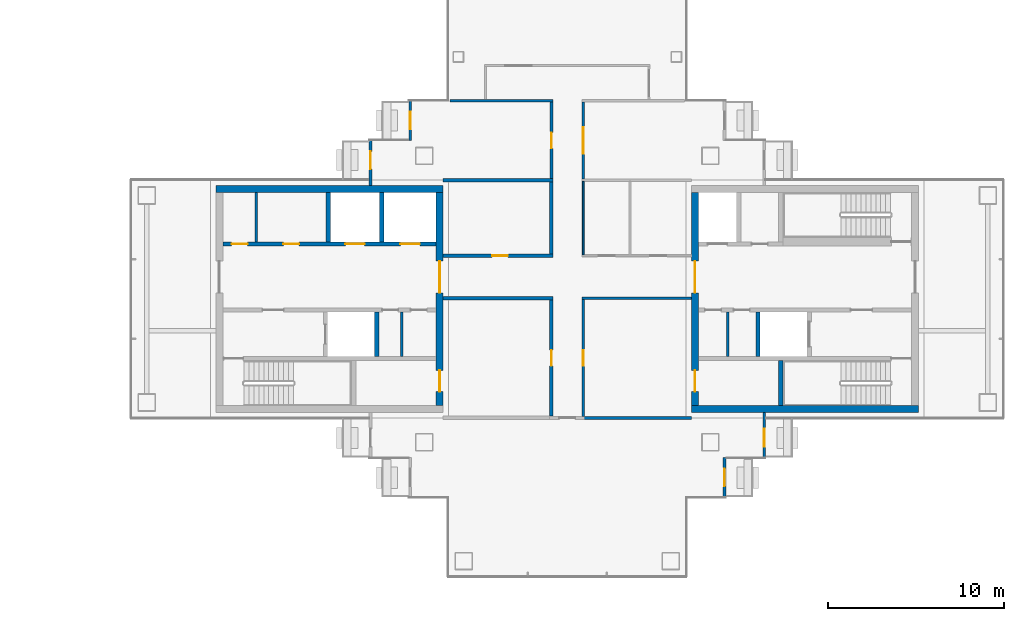
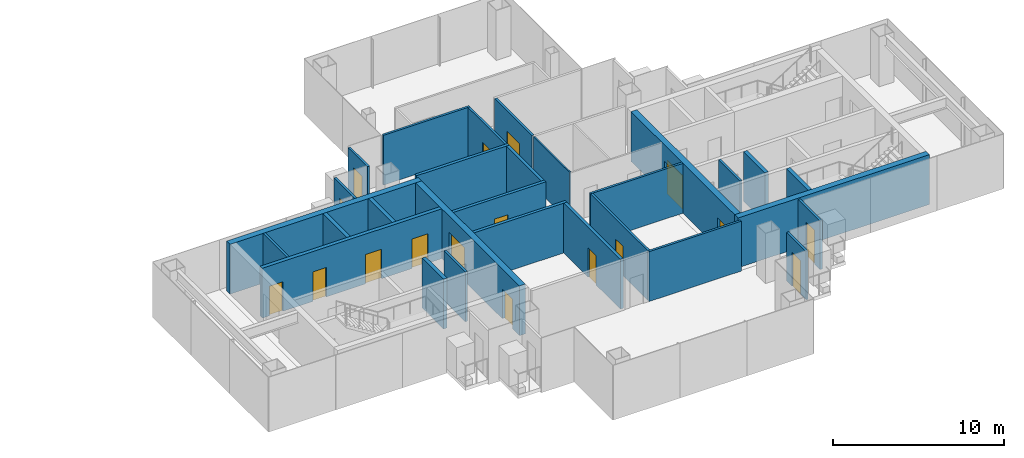
# One storey, part 11 of 17: 29 walls, 17 doors, 17 openings.
"""IFC4 building model written with IfcOpenShell, lengths in metres."""

import ifcopenshell
import ifcopenshell.guid

model = None  # the IFC model being written
_history = None  # IfcOwnerHistory: only IFC2X3 demands one
_inside = {}  # id of a spatial element -> (the spatial element, [elements in it])
_under = {}  # id of a project, library or spatial element -> (it, [spatial elements below it])
_declared = {}  # id of a project -> (the project, [libraries it declares])
_typed = {}  # id of a type object -> (the type object, [elements of that type])
_made_of = {}  # id of a material, layer set ... -> (it, [elements and type objects made of it])


def new_model(schema):
    """Start an empty IFC model of exactly this schema.

    Asked for "IFC4X3", IfcOpenShell would pick the latest addendum, in which some entities
    have other attributes; the version numbers below select the first issue.
    IFC2X3 requires an IfcOwnerHistory on every rooted entity: one is made here for all.
    """
    global model, _history
    if schema == "IFC4X3":
        model = ifcopenshell.file(schema_version=(4, 3, 0, 0))
    else:
        model = ifcopenshell.file(schema=schema)
    _inside.clear()
    _under.clear()
    _declared.clear()
    _typed.clear()
    _made_of.clear()
    _history = None
    if model.schema == "IFC2X3":
        org = make("IfcOrganization", Name="unknown")
        user = make(
            "IfcPersonAndOrganization",
            ThePerson=make("IfcPerson", FamilyName="unknown"),
            TheOrganization=org,
        )
        app = make(
            "IfcApplication",
            ApplicationDeveloper=org,
            Version="unknown",
            ApplicationFullName="unknown",
            ApplicationIdentifier="unknown",
        )
        _history = make(
            "IfcOwnerHistory",
            OwningUser=user,
            OwningApplication=app,
            ChangeAction="ADDED",
            CreationDate=0,
        )
    return model


def make(cls, **values):
    """One entity of the class cls with the attributes given. An attribute that is None is left unset."""
    return model.create_entity(
        cls, **{name: value for name, value in values.items() if value is not None}
    )


def rooted(cls, **values):
    """An entity with a GlobalId (a new one), such as an element, a storey or a relation."""
    return make(cls, GlobalId=ifcopenshell.guid.new(), OwnerHistory=_history, **values)


def si_unit(unit_type, name, prefix=None):
    """IfcSIUnit, for example si_unit("LENGTHUNIT", "METRE", prefix="MILLI")."""
    return make("IfcSIUnit", UnitType=unit_type, Prefix=prefix, Name=name)


def assignment(units):
    """IfcUnitAssignment: the units of a project."""
    return None if units is None else make("IfcUnitAssignment", Units=units)


def point(xyz):
    """IfcCartesianPoint."""
    return None if xyz is None else make("IfcCartesianPoint", Coordinates=xyz)


def direction(xyz):
    """IfcDirection."""
    return None if xyz is None else make("IfcDirection", DirectionRatios=xyz)


def frame(location, z_axis=None, x_axis=None):
    """IfcAxis2Placement3D, a coordinate frame: its origin and axes. An axis left out is left unset."""
    return make(
        "IfcAxis2Placement3D",
        Location=point(location),
        Axis=direction(z_axis),
        RefDirection=direction(x_axis),
    )


def frame_2d(location, x_axis=None):
    """IfcAxis2Placement2D, a coordinate frame in the plane: its origin and x axis."""
    return make(
        "IfcAxis2Placement2D", Location=point(location), RefDirection=direction(x_axis)
    )


def origin():
    """The frame at (0, 0, 0) with its axes left unset."""
    return frame((0.0, 0.0, 0.0))


def place(relative_to, where):
    """IfcLocalPlacement: puts the frame where relative to a parent placement (None: the world)."""
    return make(
        "IfcLocalPlacement", PlacementRelTo=relative_to, RelativePlacement=where
    )


def context(
    kind, dimensions, precision=None, world=None, true_north=None, identifier=None
):
    """IfcGeometricRepresentationContext, for example the 3D "Model" context."""
    return make(
        "IfcGeometricRepresentationContext",
        ContextIdentifier=identifier,
        ContextType=kind,
        CoordinateSpaceDimension=dimensions,
        Precision=precision,
        WorldCoordinateSystem=world,
        TrueNorth=true_north,
    )


def subcontext(parent, identifier, kind, view, scale=None):
    """IfcGeometricRepresentationSubContext, for example "Body" below "Model"."""
    return make(
        "IfcGeometricRepresentationSubContext",
        ContextIdentifier=identifier,
        ContextType=kind,
        ParentContext=parent,
        TargetScale=scale,
        TargetView=view,
    )


def project(units=None, contexts=None):
    """IfcProject with its units and contexts."""
    return rooted(
        "IfcProject",
        Name="project",
        RepresentationContexts=contexts,
        UnitsInContext=assignment(units),
    )


def spatial(cls, under=None, at=None, **own):
    """A site, building, storey or space (cls), placed at a placement, below another one or the project."""
    s = rooted(cls, ObjectPlacement=at, **own)
    if under is not None:
        _under.setdefault(under.id(), (under, []))[1].append(s)
    return s


def profile(cls, at=None, kind="AREA", **sizes):
    """A parametric profile (cls). Its sizes go by their IFC names, for example OverallWidth=200.0."""
    return make(cls, ProfileType=kind, Position=at, **sizes)


def rectangle(**sizes):
    """IfcRectangleProfileDef."""
    return profile("IfcRectangleProfileDef", **sizes)


def extrude(swept, where, along, depth):
    """IfcExtrudedAreaSolid: the profile swept, set in the frame where, extruded along a direction by depth."""
    return make(
        "IfcExtrudedAreaSolid",
        SweptArea=swept,
        Position=where,
        ExtrudedDirection=direction(along),
        Depth=depth,
    )


def shape(context_of_items, identifier, shape_type, items):
    """IfcShapeRepresentation: the items that make up one representation, for example the "Body"."""
    return make(
        "IfcShapeRepresentation",
        ContextOfItems=context_of_items,
        RepresentationIdentifier=identifier,
        RepresentationType=shape_type,
        Items=items,
    )


def material(Name=None, Category=None):
    """IfcMaterial."""
    return make("IfcMaterial", Name=Name, Category=Category)


def layer(
    of_material, thickness, ventilated=None, Name=None, Category=None, Priority=None
):
    """IfcMaterialLayer: one layer of a wall or slab, of a material (None: an air gap)."""
    return make(
        "IfcMaterialLayer",
        Material=of_material,
        LayerThickness=thickness,
        IsVentilated=ventilated,
        Name=Name,
        Category=Category,
        Priority=Priority,
    )


def layer_set(layers, Name=None):
    """IfcMaterialLayerSet."""
    return make("IfcMaterialLayerSet", MaterialLayers=layers, LayerSetName=Name)


def made_of(thing, what):
    """Note that an element or type object is made of a material, layer set ...; save() writes the relation."""
    if what is not None:
        _made_of.setdefault(what.id(), (what, []))[1].append(thing)
    return thing


def type_object(cls, material=None, **own):
    """A type object (cls), such as IfcWallType, which elements share."""
    return made_of(rooted(cls, **own), material)


def element(
    cls,
    number,
    at=None,
    inside=None,
    cuts=None,
    type_object=None,
    material=None,
    context=None,
    identifier="Body",
    shape_type=None,
    held_by="IfcProductDefinitionShape",
    body=None,
    shapes=None,
    **own,
):
    """One element of the class cls, such as IfcWall. Its Tag is "e" and its number.

    at: its placement. inside: the storey or other place that contains it. cuts: it is an
    opening in that element (IfcRelVoidsElement). A single representation is given by context,
    identifier, shape_type and body (its items); several are given by shapes. held_by: the class
    of the entity that holds the representations. save() writes the other relations.
    """
    e = rooted(cls, Tag="e%d" % number, ObjectPlacement=at, **own)
    if body is not None:
        shapes = [shape(context, identifier, shape_type, body)]
    if shapes is not None:
        e.Representation = make(held_by, Representations=shapes)
    if inside is not None:
        _inside.setdefault(inside.id(), (inside, []))[1].append(e)
    if cuts is not None:
        rooted(
            "IfcRelVoidsElement", RelatingBuildingElement=cuts, RelatedOpeningElement=e
        )
    if type_object is not None:
        _typed.setdefault(type_object.id(), (type_object, []))[1].append(e)
    return made_of(e, material)


def fill(opening, filler):
    """IfcRelFillsElement: the door or window that sits in an opening."""
    return rooted(
        "IfcRelFillsElement",
        RelatingOpeningElement=opening,
        RelatedBuildingElement=filler,
    )


def aggregate(whole, parts):
    """IfcRelAggregates: a whole, such as a stair, and the parts it consists of."""
    return rooted("IfcRelAggregates", RelatingObject=whole, RelatedObjects=parts)


def save(model, path):
    """Write the relations noted so far, then the file.

    IfcRelAggregates (storeys below a building ...), IfcRelContainedInSpatialStructure (elements
    in a storey), IfcRelDefinesByType, IfcRelAssociatesMaterial and IfcRelDeclares: one each for
    every whole, place, type object, material and project.
    """
    for whole, parts in _under.values():
        aggregate(whole, parts)
    for where, things in _inside.values():
        rooted(
            "IfcRelContainedInSpatialStructure",
            RelatedElements=things,
            RelatingStructure=where,
        )
    for kind, things in _typed.values():
        rooted("IfcRelDefinesByType", RelatedObjects=things, RelatingType=kind)
    for what, things in _made_of.values():
        rooted("IfcRelAssociatesMaterial", RelatedObjects=things, RelatingMaterial=what)
    for by, libraries in _declared.values():
        rooted("IfcRelDeclares", RelatingContext=by, RelatedDefinitions=libraries)
    model.write(path)


model = new_model("IFC4")

# Units and contexts
model_context = context("Model", 3, precision=1e-05, world=origin(), true_north=direction((0.0, 1.0)))
body_context = subcontext(model_context, "Body", "Model", "MODEL_VIEW")
ifc_project = project(units=[si_unit("LENGTHUNIT", "METRE"), si_unit("AREAUNIT", "SQUARE_METRE"), si_unit("VOLUMEUNIT", "CUBIC_METRE"), si_unit("PLANEANGLEUNIT", "RADIAN"), si_unit("MASSUNIT", "GRAM", prefix="KILO")], contexts=[model_context])

# Site, building, storey
site_placement = place(None, origin())
site = spatial("IfcSite", under=ifc_project, at=site_placement, CompositionType="ELEMENT")
building_placement = place(site_placement, origin())
building = spatial("IfcBuilding", under=site, at=building_placement, Name="Shamsa Quay Exchange Towers", CompositionType="ELEMENT")
storey_placement = place(building_placement, frame((0.0, 0.0, 198.300048828125)))
storey = spatial("IfcBuildingStorey", under=building, at=storey_placement, Name="L47", CompositionType="ELEMENT", Elevation=198.300048828125)

# Wall, opening, door
ifc_material_1 = material(Name="Aluminium EN AW-6063 T6, black anodised, with black enamelled glass infill", Category="aluminium")
ifc_layer_1 = layer(ifc_material_1, 0.14990234375)
ifc_layer_set_1 = layer_set([ifc_layer_1], Name="BALCONY DOOR BAY WALL 150")
wall_type_1 = type_object("IfcWallType", Name="BALCONY DOOR BAY WALL 150", PredefinedType="SOLIDWALL", material=ifc_layer_set_1)
wall_1_placement = place(storey_placement, frame((24.824951171875, 9.0, 0.0), z_axis=(0.0, 0.0, 1.0), x_axis=(0.0, 1.0, 0.0)))
wall_1 = element("IfcWall", 1, at=wall_1_placement, inside=storey, type_object=wall_type_1, Name="Door bay T2-PKEN L47", PredefinedType="SOLIDWALL", context=body_context, shape_type="SweptSolid", body=[
    extrude(rectangle(XDim=2.25, YDim=0.14990234375, at=frame_2d((1.125, 0.0))), origin(), (0.0, 0.0, 1.0), 3.449951171875),
])
opening_1_placement = place(wall_1_placement, frame((0.625, 0.0, 0.0)))
opening_1 = element("IfcOpeningElement", 2, at=opening_1_placement, cuts=wall_1, Name="Opening XD305", PredefinedType="OPENING", context=body_context, shape_type="SweptSolid", body=[
    extrude(rectangle(XDim=1.0, YDim=2.39990234375, at=frame_2d((0.5, 1.199951171875))), frame((0.0, 0.0849609375, 0.0), z_axis=(0.0, -1.0, 0.0), x_axis=(1.0, 0.0, 0.0)), (0.0, 0.0, 1.0), 0.169921875),
])
ifc_material_2 = material(Name="Aluminium EN AW-6063 T6, black anodised, with laminated glass leaf", Category="aluminium")
door_type_1 = type_object("IfcDoorType", Name="BALCONY DOOR 1000x2400", OperationType="SINGLE_SWING_LEFT", PredefinedType="DOOR", material=ifc_material_2)
door_1_placement = place(opening_1_placement, origin())
door_1 = element("IfcDoor", 3, at=door_1_placement, inside=storey, type_object=door_type_1, Name="Balcony door T2-PKEN L47", OperationType="SINGLE_SWING_RIGHT", OverallHeight=2.39990234375, OverallWidth=1.0, PredefinedType="DOOR", context=body_context, shape_type="SweptSolid", body=[
    extrude(rectangle(XDim=1.0, YDim=2.39990234375, at=frame_2d((0.5, 1.199951171875))), frame((0.0, 0.02490234375, 0.0), z_axis=(0.0, -1.0, 0.0), x_axis=(1.0, 0.0, 0.0)), (0.0, 0.0, 1.0), 0.050048828125),
])
fill(opening_1, door_1)

wall_2_placement = place(storey_placement, frame((22.574951171875, 6.447998046875, 0.0), z_axis=(0.0, 0.0, 1.0), x_axis=(0.0, 1.0, 0.0)))
wall_2 = element("IfcWall", 4, at=wall_2_placement, inside=storey, type_object=wall_type_1, Name="Door bay T2-PKEN L47", PredefinedType="SOLIDWALL", context=body_context, shape_type="SweptSolid", body=[
    extrude(rectangle(XDim=2.552001953125, YDim=0.14990234375, at=frame_2d((1.27587890625, 0.0))), origin(), (0.0, 0.0, 1.0), 3.449951171875),
])
opening_2_placement = place(wall_2_placement, frame((0.927001953125, 0.0, 0.0)))
opening_2 = element("IfcOpeningElement", 5, at=opening_2_placement, cuts=wall_2, Name="Opening XD306", PredefinedType="OPENING", context=body_context, shape_type="SweptSolid", body=[
    extrude(rectangle(XDim=1.0, YDim=2.39990234375, at=frame_2d((0.5, 1.199951171875))), frame((0.0, 0.0849609375, 0.0), z_axis=(0.0, -1.0, 0.0), x_axis=(1.0, 0.0, 0.0)), (0.0, 0.0, 1.0), 0.169921875),
])
door_2_placement = place(opening_2_placement, origin())
door_2 = element("IfcDoor", 6, at=door_2_placement, inside=storey, type_object=door_type_1, Name="Balcony door T2-PKEN L47", OperationType="SINGLE_SWING_LEFT", OverallHeight=2.39990234375, OverallWidth=1.0, PredefinedType="DOOR", context=body_context, shape_type="SweptSolid", body=[
    extrude(rectangle(XDim=1.0, YDim=2.39990234375, at=frame_2d((0.5, 1.199951171875))), frame((0.0, 0.02490234375, 0.0), z_axis=(0.0, -1.0, 0.0), x_axis=(1.0, 0.0, 0.0)), (0.0, 0.0, 1.0), 0.050048828125),
])
fill(opening_2, door_2)

wall_3_placement = place(storey_placement, frame((42.675048828125, -9.0, 0.0), z_axis=(0.0, 0.0, 1.0), x_axis=(0.0, -1.0, 0.0)))
wall_3 = element("IfcWall", 7, at=wall_3_placement, inside=storey, type_object=wall_type_1, Name="Door bay T2-PKWS L47", PredefinedType="SOLIDWALL", context=body_context, shape_type="SweptSolid", body=[
    extrude(rectangle(XDim=2.25, YDim=0.14990234375, at=frame_2d((1.125, 0.0))), origin(), (0.0, 0.0, 1.0), 3.449951171875),
])
opening_3_placement = place(wall_3_placement, frame((0.625, 0.0, 0.0)))
opening_3 = element("IfcOpeningElement", 8, at=opening_3_placement, cuts=wall_3, Name="Opening XD311", PredefinedType="OPENING", context=body_context, shape_type="SweptSolid", body=[
    extrude(rectangle(XDim=1.0, YDim=2.39990234375, at=frame_2d((0.5, 1.199951171875))), frame((0.0, 0.0849609375, 0.0), z_axis=(0.0, -1.0, 0.0), x_axis=(1.0, 0.0, 0.0)), (0.0, 0.0, 1.0), 0.169921875),
])
door_3_placement = place(opening_3_placement, origin())
door_3 = element("IfcDoor", 9, at=door_3_placement, inside=storey, type_object=door_type_1, Name="Balcony door T2-PKWS L47", OperationType="SINGLE_SWING_LEFT", OverallHeight=2.39990234375, OverallWidth=1.0, PredefinedType="DOOR", context=body_context, shape_type="SweptSolid", body=[
    extrude(rectangle(XDim=1.0, YDim=2.39990234375, at=frame_2d((0.5, 1.199951171875))), frame((0.0, 0.02490234375, 0.0), z_axis=(0.0, -1.0, 0.0), x_axis=(1.0, 0.0, 0.0)), (0.0, 0.0, 1.0), 0.050048828125),
])
fill(opening_3, door_3)

wall_4_placement = place(storey_placement, frame((44.925048828125, -6.447998046875, 0.0), z_axis=(0.0, 0.0, 1.0), x_axis=(0.0, -1.0, 0.0)))
wall_4 = element("IfcWall", 10, at=wall_4_placement, inside=storey, type_object=wall_type_1, Name="Door bay T2-PKWS L47", PredefinedType="SOLIDWALL", context=body_context, shape_type="SweptSolid", body=[
    extrude(rectangle(XDim=2.552001953125, YDim=0.14990234375, at=frame_2d((1.27587890625, 0.0))), origin(), (0.0, 0.0, 1.0), 3.449951171875),
])
opening_4_placement = place(wall_4_placement, frame((0.927001953125, 0.0, 0.0)))
opening_4 = element("IfcOpeningElement", 11, at=opening_4_placement, cuts=wall_4, Name="Opening XD312", PredefinedType="OPENING", context=body_context, shape_type="SweptSolid", body=[
    extrude(rectangle(XDim=1.0, YDim=2.39990234375, at=frame_2d((0.5, 1.199951171875))), frame((0.0, 0.0849609375, 0.0), z_axis=(0.0, -1.0, 0.0), x_axis=(1.0, 0.0, 0.0)), (0.0, 0.0, 1.0), 0.169921875),
])
door_4_placement = place(opening_4_placement, origin())
door_4 = element("IfcDoor", 12, at=door_4_placement, inside=storey, type_object=door_type_1, Name="Balcony door T2-PKWS L47", OperationType="SINGLE_SWING_RIGHT", OverallHeight=2.39990234375, OverallWidth=1.0, PredefinedType="DOOR", context=body_context, shape_type="SweptSolid", body=[
    extrude(rectangle(XDim=1.0, YDim=2.39990234375, at=frame_2d((0.5, 1.199951171875))), frame((0.0, 0.02490234375, 0.0), z_axis=(0.0, -1.0, 0.0), x_axis=(1.0, 0.0, 0.0)), (0.0, 0.0, 1.0), 0.050048828125),
])
fill(opening_4, door_4)

# Wall
ifc_material_3 = material(Name="Concrete C60/75", Category="concrete")
ifc_layer_2 = layer(ifc_material_3, 0.39990234375)
ifc_layer_set_2 = layer_set([ifc_layer_2], Name="CORE WALL 400 C60/75")
wall_type_2 = type_object("IfcWallType", Name="CORE WALL 400 C60/75", PredefinedType="SHEAR", material=ifc_layer_set_2)
wall_5_placement = place(storey_placement, frame((13.800048828125, 6.25, 0.0)))
element("IfcWall", 13, at=wall_5_placement, inside=storey, type_object=wall_type_2, Name="Core wall T2A-R21-PN", PredefinedType="SHEAR", context=body_context, shape_type="SweptSolid", body=[
    extrude(rectangle(XDim=12.89990234375, YDim=0.39990234375, at=frame_2d((6.449951171875, 0.0))), origin(), (0.0, 0.0, 1.0), 3.550048828125),
])

# Wall, openings, doors
wall_6_placement = place(storey_placement, frame((26.5, 6.050048828125, 0.0), z_axis=(0.0, 0.0, 1.0), x_axis=(0.0, -1.0, 0.0)))
wall_6 = element("IfcWall", 14, at=wall_6_placement, inside=storey, type_object=wall_type_2, Name="Core wall T2A-R21-PB", PredefinedType="SHEAR", context=body_context, shape_type="SweptSolid", body=[
    extrude(rectangle(XDim=12.10009765625, YDim=0.39990234375, at=frame_2d((6.050048828125, 0.0))), origin(), (0.0, 0.0, 1.0), 3.550048828125),
])
opening_5_placement = place(wall_6_placement, frame((10.10009765625, 0.0, 0.0)))
opening_5 = element("IfcOpeningElement", 15, at=opening_5_placement, cuts=wall_6, Name="Opening T2A-R21-RD02", PredefinedType="OPENING", context=body_context, shape_type="SweptSolid", body=[
    extrude(rectangle(XDim=1.199951171875, YDim=2.10009765625, at=frame_2d((0.60009765625, 1.050048828125))), frame((0.0, 0.2099609375, 0.0), z_axis=(0.0, -1.0, 0.0), x_axis=(1.0, 0.0, 0.0)), (0.0, 0.0, 1.0), 0.419921875),
])
opening_6_placement = place(wall_6_placement, frame((3.89990234375, 0.0, 0.0)))
opening_6 = element("IfcOpeningElement", 16, at=opening_6_placement, cuts=wall_6, Name="Opening T2A-R21-LBD03", PredefinedType="OPENING", context=body_context, shape_type="SweptSolid", body=[
    extrude(rectangle(XDim=1.800048828125, YDim=2.39990234375, at=frame_2d((0.89990234375, 1.199951171875))), frame((0.0, 0.2099609375, 0.0), z_axis=(0.0, -1.0, 0.0), x_axis=(1.0, 0.0, 0.0)), (0.0, 0.0, 1.0), 0.419921875),
])
ifc_material_4 = material(Name="Steel, fire rated", Category="steel")
door_type_2 = type_object("IfcDoorType", Name="LIFT LOBBY DOOR PAIR 1800", OperationType="DOUBLE_DOOR_SINGLE_SWING", PredefinedType="DOOR", material=ifc_material_4)
door_5_placement = place(opening_6_placement, origin())
door_5 = element("IfcDoor", 17, at=door_5_placement, inside=storey, type_object=door_type_2, Name="T2A-R21-LBD03", OperationType="DOUBLE_DOOR_SINGLE_SWING", OverallHeight=2.39990234375, OverallWidth=1.800048828125, PredefinedType="DOOR", context=body_context, shape_type="SweptSolid", body=[
    extrude(rectangle(XDim=1.800048828125, YDim=2.39990234375, at=frame_2d((0.89990234375, 1.199951171875))), frame((0.0, 0.02490234375, 0.0), z_axis=(0.0, -1.0, 0.0), x_axis=(1.0, 0.0, 0.0)), (0.0, 0.0, 1.0), 0.050048828125),
])
fill(opening_6, door_5)
door_type_3 = type_object("IfcDoorType", Name="RISER ACCESS DOOR 1200", OperationType="SINGLE_SWING_LEFT", PredefinedType="DOOR", material=ifc_material_4)
door_6_placement = place(opening_5_placement, origin())
door_6 = element("IfcDoor", 18, at=door_6_placement, inside=storey, type_object=door_type_3, Name="T2A-R21-RD02", OperationType="SINGLE_SWING_RIGHT", OverallHeight=2.10009765625, OverallWidth=1.199951171875, PredefinedType="DOOR", context=body_context, shape_type="SweptSolid", body=[
    extrude(rectangle(XDim=1.199951171875, YDim=2.10009765625, at=frame_2d((0.60009765625, 1.050048828125))), frame((0.0, 0.02490234375, 0.0), z_axis=(0.0, -1.0, 0.0), x_axis=(1.0, 0.0, 0.0)), (0.0, 0.0, 1.0), 0.050048828125),
])
fill(opening_5, door_6)

# Wall
wall_7_placement = place(storey_placement, frame((53.699951171875, -6.25, 0.0), z_axis=(0.0, 0.0, 1.0), x_axis=(-1.0, 0.0, 0.0)))
element("IfcWall", 19, at=wall_7_placement, inside=storey, type_object=wall_type_2, Name="Core wall T2B-R21-PS", PredefinedType="SHEAR", context=body_context, shape_type="SweptSolid", body=[
    extrude(rectangle(XDim=12.89990234375, YDim=0.39990234375, at=frame_2d((6.449951171875, 0.0))), origin(), (0.0, 0.0, 1.0), 3.550048828125),
])

# Wall, openings, doors
wall_8_placement = place(storey_placement, frame((41.0, -6.050048828125, 0.0), z_axis=(0.0, 0.0, 1.0), x_axis=(0.0, 1.0, 0.0)))
wall_8 = element("IfcWall", 20, at=wall_8_placement, inside=storey, type_object=wall_type_2, Name="Core wall T2B-R21-PB", PredefinedType="SHEAR", context=body_context, shape_type="SweptSolid", body=[
    extrude(rectangle(XDim=12.10009765625, YDim=0.39990234375, at=frame_2d((6.050048828125, 0.0))), origin(), (0.0, 0.0, 1.0), 3.550048828125),
])
opening_7_placement = place(wall_8_placement, frame((0.800048828125, 0.0, 0.0)))
opening_7 = element("IfcOpeningElement", 21, at=opening_7_placement, cuts=wall_8, Name="Opening T2B-R21-RD02", PredefinedType="OPENING", context=body_context, shape_type="SweptSolid", body=[
    extrude(rectangle(XDim=1.199951171875, YDim=2.10009765625, at=frame_2d((0.60009765625, 1.050048828125))), frame((0.0, 0.2099609375, 0.0), z_axis=(0.0, -1.0, 0.0), x_axis=(1.0, 0.0, 0.0)), (0.0, 0.0, 1.0), 0.419921875),
])
opening_8_placement = place(wall_8_placement, frame((6.39990234375, 0.0, 0.0)))
opening_8 = element("IfcOpeningElement", 22, at=opening_8_placement, cuts=wall_8, Name="Opening T2B-R21-LBD03", PredefinedType="OPENING", context=body_context, shape_type="SweptSolid", body=[
    extrude(rectangle(XDim=1.800048828125, YDim=2.39990234375, at=frame_2d((0.89990234375, 1.199951171875))), frame((0.0, 0.2099609375, 0.0), z_axis=(0.0, -1.0, 0.0), x_axis=(1.0, 0.0, 0.0)), (0.0, 0.0, 1.0), 0.419921875),
])
door_7_placement = place(opening_8_placement, origin())
door_7 = element("IfcDoor", 23, at=door_7_placement, inside=storey, type_object=door_type_2, Name="T2B-R21-LBD03", OperationType="DOUBLE_DOOR_SINGLE_SWING", OverallHeight=2.39990234375, OverallWidth=1.800048828125, PredefinedType="DOOR", context=body_context, shape_type="SweptSolid", body=[
    extrude(rectangle(XDim=1.800048828125, YDim=2.39990234375, at=frame_2d((0.89990234375, 1.199951171875))), frame((0.0, 0.02490234375, 0.0), z_axis=(0.0, -1.0, 0.0), x_axis=(1.0, 0.0, 0.0)), (0.0, 0.0, 1.0), 0.050048828125),
])
fill(opening_8, door_7)
door_8_placement = place(opening_7_placement, origin())
door_8 = element("IfcDoor", 24, at=door_8_placement, inside=storey, type_object=door_type_3, Name="T2B-R21-RD02", OperationType="SINGLE_SWING_LEFT", OverallHeight=2.10009765625, OverallWidth=1.199951171875, PredefinedType="DOOR", context=body_context, shape_type="SweptSolid", body=[
    extrude(rectangle(XDim=1.199951171875, YDim=2.10009765625, at=frame_2d((0.60009765625, 1.050048828125))), frame((0.0, 0.02490234375, 0.0), z_axis=(0.0, -1.0, 0.0), x_axis=(1.0, 0.0, 0.0)), (0.0, 0.0, 1.0), 0.050048828125),
])
fill(opening_7, door_8)

# Walls
ifc_material_5 = material(Name="Gypsum board on steel studs, EI 60", Category="steel")
ifc_layer_3 = layer(ifc_material_5, 0.14990234375)
ifc_layer_set_3 = layer_set([ifc_layer_3], Name="FIRE PARTITION 150")
wall_type_3 = type_object("IfcWallType", Name="FIRE PARTITION 150", PredefinedType="PARTITIONING", material=ifc_layer_set_3)
wall_9_placement = place(storey_placement, frame((24.35009765625, -3.25, 0.0), z_axis=(0.0, 0.0, 1.0), x_axis=(0.0, 1.0, 0.0)))
element("IfcWall", 25, at=wall_9_placement, inside=storey, type_object=wall_type_3, Name="Partition T2A-R21-EC0", PredefinedType="PARTITIONING", context=body_context, shape_type="SweptSolid", body=[
    extrude(rectangle(XDim=2.5, YDim=0.14990234375, at=frame_2d((1.25, 0.0))), origin(), (0.0, 0.0, 1.0), 3.550048828125),
])
wall_10_placement = place(storey_placement, frame((16.10009765625, 3.25, 0.0), z_axis=(0.0, 0.0, 1.0), x_axis=(0.0, 1.0, 0.0)))
element("IfcWall", 26, at=wall_10_placement, inside=storey, type_object=wall_type_3, Name="Partition T2A-R21-FC0", PredefinedType="PARTITIONING", context=body_context, shape_type="SweptSolid", body=[
    extrude(rectangle(XDim=2.800048828125, YDim=0.14990234375, at=frame_2d((1.39990234375, 0.0))), origin(), (0.0, 0.0, 1.0), 3.550048828125),
])
wall_11_placement = place(storey_placement, frame((42.85009765625, -3.25, 0.0), z_axis=(0.0, 0.0, 1.0), x_axis=(0.0, 1.0, 0.0)))
element("IfcWall", 27, at=wall_11_placement, inside=storey, type_object=wall_type_3, Name="Partition T2B-R21-EC0", PredefinedType="PARTITIONING", context=body_context, shape_type="SweptSolid", body=[
    extrude(rectangle(XDim=2.5, YDim=0.14990234375, at=frame_2d((1.25, 0.0))), origin(), (0.0, 0.0, 1.0), 3.550048828125),
])
ifc_material_6 = material(Name="Gypsum board partition on metal studs")
ifc_layer_4 = layer(ifc_material_6, 0.10009765625)
ifc_layer_set_4 = layer_set([ifc_layer_4], Name="Partition 100 mm NOT RATED")
wall_type_4 = type_object("IfcWallType", Name="Partition 100 mm NOT RATED", PredefinedType="PARTITIONING", material=ifc_layer_set_4)
wall_12_placement = place(storey_placement, frame((34.650390625, 6.675048828125, 0.0), z_axis=(0.0, 0.0, 1.0), x_axis=(0.0, -1.0, 0.0)))
element("IfcWall", 28, at=wall_12_placement, inside=storey, type_object=wall_type_4, Name="Partition T2-R21-W06", PredefinedType="PARTITIONING", context=body_context, shape_type="SweptSolid", body=[
    extrude(rectangle(XDim=4.1748046875, YDim=0.10009765625, at=frame_2d((2.08740234375, 0.0))), origin(), (0.0, 0.0, 1.0), 3.550048828125),
])
ifc_layer_5 = layer(ifc_material_6, 0.14990234375)
ifc_layer_set_5 = layer_set([ifc_layer_5], Name="Partition 150 mm EI 60")
wall_type_5 = type_object("IfcWallType", Name="Partition 150 mm EI 60", PredefinedType="PARTITIONING", material=ifc_layer_set_5)
wall_13_placement = place(storey_placement, frame((40.800048828125, 0.0498046875, 0.0), z_axis=(0.0, 0.0, 1.0), x_axis=(-1.0, 0.0, 0.0)))
element("IfcWall", 29, at=wall_13_placement, inside=storey, type_object=wall_type_5, Name="Partition T2-R21-W07", PredefinedType="PARTITIONING", context=body_context, shape_type="SweptSolid", body=[
    extrude(rectangle(XDim=6.224609375, YDim=0.14990234375, at=frame_2d((3.1123046875, 0.0))), origin(), (0.0, 0.0, 1.0), 3.550048828125),
])

# Wall, opening, door
wall_14_placement = place(storey_placement, frame((34.650390625, -0.025146484375, 0.0), z_axis=(0.0, 0.0, 1.0), x_axis=(0.0, -1.0, 0.0)))
wall_14 = element("IfcWall", 30, at=wall_14_placement, inside=storey, type_object=wall_type_5, Name="Partition T2-R21-W08", PredefinedType="PARTITIONING", context=body_context, shape_type="SweptSolid", body=[
    extrude(rectangle(XDim=6.64990234375, YDim=0.14990234375, at=frame_2d((3.324951171875, 0.0))), origin(), (0.0, 0.0, 1.0), 3.550048828125),
])
opening_9_placement = place(wall_14_placement, frame((2.875, 0.0, 0.0)))
opening_9 = element("IfcOpeningElement", 31, at=opening_9_placement, cuts=wall_14, Name="Opening T2-R21-D04", PredefinedType="OPENING", context=body_context, shape_type="SweptSolid", body=[
    extrude(rectangle(XDim=0.89990234375, YDim=2.10009765625, at=frame_2d((0.449951171875, 1.050048828125))), frame((0.0, 0.0849609375, 0.0), z_axis=(0.0, -1.0, 0.0), x_axis=(1.0, 0.0, 0.0)), (0.0, 0.0, 1.0), 0.169921875),
])
ifc_material_7 = material(Name="Timber door leaf in a metal frame", Category="wood")
door_type_4 = type_object("IfcDoorType", Name="Door 900x2100 FD30S", OperationType="NOTDEFINED", PredefinedType="DOOR", material=ifc_material_7)
door_9_placement = place(opening_9_placement, origin())
door_9 = element("IfcDoor", 32, at=door_9_placement, inside=storey, type_object=door_type_4, Name="Door T2-R21-D04", OperationType="SINGLE_SWING_RIGHT", OverallHeight=2.10009765625, OverallWidth=0.89990234375, PredefinedType="DOOR", context=body_context, shape_type="SweptSolid", body=[
    extrude(rectangle(XDim=0.89990234375, YDim=2.10009765625, at=frame_2d((0.449951171875, 1.050048828125))), frame((0.0, 0.02490234375, 0.0), z_axis=(0.0, -1.0, 0.0), x_axis=(1.0, 0.0, 0.0)), (0.0, 0.0, 1.0), 0.050048828125),
])
fill(opening_9, door_9)

wall_15_placement = place(storey_placement, frame((34.650390625, 11.175048828125, 0.0), z_axis=(0.0, 0.0, 1.0), x_axis=(0.0, -1.0, 0.0)))
wall_15 = element("IfcWall", 33, at=wall_15_placement, inside=storey, type_object=wall_type_5, Name="Partition T2-R21-W09", PredefinedType="PARTITIONING", context=body_context, shape_type="SweptSolid", body=[
    extrude(rectangle(XDim=4.35009765625, YDim=0.14990234375, at=frame_2d((2.175048828125, 0.0))), origin(), (0.0, 0.0, 1.0), 3.550048828125),
])
opening_10_placement = place(wall_15_placement, frame((1.425048828125, 0.0, 0.0)))
opening_10 = element("IfcOpeningElement", 34, at=opening_10_placement, cuts=wall_15, Name="Opening T2-R21-D05", PredefinedType="OPENING", context=body_context, shape_type="SweptSolid", body=[
    extrude(rectangle(XDim=1.5, YDim=2.10009765625, at=frame_2d((0.75, 1.050048828125))), frame((0.0, 0.0849609375, 0.0), z_axis=(0.0, -1.0, 0.0), x_axis=(1.0, 0.0, 0.0)), (0.0, 0.0, 1.0), 0.169921875),
])
door_type_5 = type_object("IfcDoorType", Name="Door 1500x2100 FD30S pair", OperationType="NOTDEFINED", PredefinedType="DOOR", material=ifc_material_7)
door_10_placement = place(opening_10_placement, origin())
door_10 = element("IfcDoor", 35, at=door_10_placement, inside=storey, type_object=door_type_5, Name="Door T2-R21-D05", OperationType="DOUBLE_DOOR_SINGLE_SWING", OverallHeight=2.10009765625, OverallWidth=1.5, PredefinedType="DOOR", context=body_context, shape_type="SweptSolid", body=[
    extrude(rectangle(XDim=1.5, YDim=2.10009765625, at=frame_2d((0.75, 1.050048828125))), frame((0.0, 0.02490234375, 0.0), z_axis=(0.0, -1.0, 0.0), x_axis=(1.0, 0.0, 0.0)), (0.0, 0.0, 1.0), 0.050048828125),
])
fill(opening_10, door_10)

# Wall
wall_16_placement = place(storey_placement, frame((32.924560546875, 11.25, 0.0), z_axis=(0.0, 0.0, 1.0), x_axis=(-1.0, 0.0, 0.0)))
element("IfcWall", 36, at=wall_16_placement, inside=storey, type_object=wall_type_5, Name="Partition T2-R21-W10", PredefinedType="PARTITIONING", context=body_context, shape_type="SweptSolid", body=[
    extrude(rectangle(XDim=5.82958984375, YDim=0.14990234375, at=frame_2d((2.914794921875, 0.0))), origin(), (0.0, 0.0, 1.0), 3.550048828125),
])

# Wall, opening, door
wall_17_placement = place(storey_placement, frame((32.849609375, 6.85009765625, 0.0), z_axis=(0.0, 0.0, 1.0), x_axis=(0.0, 1.0, 0.0)))
wall_17 = element("IfcWall", 37, at=wall_17_placement, inside=storey, type_object=wall_type_5, Name="Partition T2-R21-W12", PredefinedType="PARTITIONING", context=body_context, shape_type="SweptSolid", body=[
    extrude(rectangle(XDim=4.324951171875, YDim=0.14990234375, at=frame_2d((2.16259765625, 0.0))), origin(), (0.0, 0.0, 1.0), 3.550048828125),
])
opening_11_placement = place(wall_17_placement, frame((1.699951171875, 0.0, 0.0)))
opening_11 = element("IfcOpeningElement", 38, at=opening_11_placement, cuts=wall_17, Name="Opening T2-R21-D09", PredefinedType="OPENING", context=body_context, shape_type="SweptSolid", body=[
    extrude(rectangle(XDim=0.89990234375, YDim=2.10009765625, at=frame_2d((0.449951171875, 1.050048828125))), frame((0.0, 0.0849609375, 0.0), z_axis=(0.0, -1.0, 0.0), x_axis=(1.0, 0.0, 0.0)), (0.0, 0.0, 1.0), 0.169921875),
])
door_11_placement = place(opening_11_placement, origin())
door_11 = element("IfcDoor", 39, at=door_11_placement, inside=storey, type_object=door_type_4, Name="Door T2-R21-D09", OperationType="SINGLE_SWING_RIGHT", OverallHeight=2.10009765625, OverallWidth=0.89990234375, PredefinedType="DOOR", context=body_context, shape_type="SweptSolid", body=[
    extrude(rectangle(XDim=0.89990234375, YDim=2.10009765625, at=frame_2d((0.449951171875, 1.050048828125))), frame((0.0, 0.02490234375, 0.0), z_axis=(0.0, -1.0, 0.0), x_axis=(1.0, 0.0, 0.0)), (0.0, 0.0, 1.0), 0.050048828125),
])
fill(opening_11, door_11)

# Walls
wall_18_placement = place(storey_placement, frame((34.575439453125, -6.75, 0.0)))
element("IfcWall", 40, at=wall_18_placement, inside=storey, type_object=wall_type_5, Name="Partition T2-R21-W21", PredefinedType="PARTITIONING", context=body_context, shape_type="SweptSolid", body=[
    extrude(rectangle(XDim=6.224609375, YDim=0.14990234375, at=frame_2d((3.1123046875, 0.0))), origin(), (0.0, 0.0, 1.0), 3.550048828125),
])
ifc_layer_6 = layer(ifc_material_6, 0.199951171875)
ifc_layer_set_6 = layer_set([ifc_layer_6], Name="Partition 200 mm EI 120")
wall_type_6 = type_object("IfcWallType", Name="Partition 200 mm EI 120", PredefinedType="PARTITIONING", material=ifc_layer_set_6)
wall_19_placement = place(storey_placement, frame((32.849609375, 2.55029296875, 0.0), z_axis=(0.0, 0.0, 1.0), x_axis=(0.0, 1.0, 0.0)))
element("IfcWall", 41, at=wall_19_placement, inside=storey, type_object=wall_type_6, Name="Partition T2-R21-W01", PredefinedType="PARTITIONING", context=body_context, shape_type="SweptSolid", body=[
    extrude(rectangle(XDim=4.099609375, YDim=0.199951171875, at=frame_2d((2.0498046875, 0.0))), origin(), (0.0, 0.0, 1.0), 3.550048828125),
])

# Wall, opening, door
wall_20_placement = place(storey_placement, frame((32.849609375, -6.64990234375, 0.0), z_axis=(0.0, 0.0, 1.0), x_axis=(0.0, 1.0, 0.0)))
wall_20 = element("IfcWall", 42, at=wall_20_placement, inside=storey, type_object=wall_type_6, Name="Partition T2-R21-W02", PredefinedType="PARTITIONING", context=body_context, shape_type="SweptSolid", body=[
    extrude(rectangle(XDim=6.599609375, YDim=0.199951171875, at=frame_2d((3.2998046875, 0.0))), origin(), (0.0, 0.0, 1.0), 3.550048828125),
])
opening_12_placement = place(wall_20_placement, frame((2.849853515625, 0.0, 0.0)))
opening_12 = element("IfcOpeningElement", 43, at=opening_12_placement, cuts=wall_20, Name="Opening T2-R21-D07", PredefinedType="OPENING", context=body_context, shape_type="SweptSolid", body=[
    extrude(rectangle(XDim=0.89990234375, YDim=2.10009765625, at=frame_2d((0.449951171875, 1.050048828125))), frame((0.0, 0.10986328125, 0.0), z_axis=(0.0, -1.0, 0.0), x_axis=(1.0, 0.0, 0.0)), (0.0, 0.0, 1.0), 0.219970703125),
])
door_type_6 = type_object("IfcDoorType", Name="Door 900x2100 FD60", OperationType="NOTDEFINED", PredefinedType="DOOR", material=ifc_material_7)
door_12_placement = place(opening_12_placement, origin())
door_12 = element("IfcDoor", 44, at=door_12_placement, inside=storey, type_object=door_type_6, Name="Door T2-R21-D07", OperationType="SINGLE_SWING_LEFT", OverallHeight=2.10009765625, OverallWidth=0.89990234375, PredefinedType="DOOR", context=body_context, shape_type="SweptSolid", body=[
    extrude(rectangle(XDim=0.89990234375, YDim=2.10009765625, at=frame_2d((0.449951171875, 1.050048828125))), frame((0.0, 0.02490234375, 0.0), z_axis=(0.0, -1.0, 0.0), x_axis=(1.0, 0.0, 0.0)), (0.0, 0.0, 1.0), 0.050048828125),
])
fill(opening_12, door_12)

wall_21_placement = place(storey_placement, frame((26.699951171875, 2.4501953125, 0.0)))
wall_21 = element("IfcWall", 45, at=wall_21_placement, inside=storey, type_object=wall_type_6, Name="Partition T2-R21-W03", PredefinedType="PARTITIONING", context=body_context, shape_type="SweptSolid", body=[
    extrude(rectangle(XDim=6.249755859375, YDim=0.199951171875, at=frame_2d((3.125, 0.0))), origin(), (0.0, 0.0, 1.0), 3.550048828125),
])
opening_13_placement = place(wall_21_placement, frame((2.77490234375, 0.0, 0.0)))
opening_13 = element("IfcOpeningElement", 46, at=opening_13_placement, cuts=wall_21, Name="Opening T2-R21-D08", PredefinedType="OPENING", context=body_context, shape_type="SweptSolid", body=[
    extrude(rectangle(XDim=0.89990234375, YDim=2.10009765625, at=frame_2d((0.449951171875, 1.050048828125))), frame((0.0, 0.10986328125, 0.0), z_axis=(0.0, -1.0, 0.0), x_axis=(1.0, 0.0, 0.0)), (0.0, 0.0, 1.0), 0.219970703125),
])
door_13_placement = place(opening_13_placement, origin())
door_13 = element("IfcDoor", 47, at=door_13_placement, inside=storey, type_object=door_type_6, Name="Door T2-R21-D08", OperationType="SINGLE_SWING_RIGHT", OverallHeight=2.10009765625, OverallWidth=0.89990234375, PredefinedType="DOOR", context=body_context, shape_type="SweptSolid", body=[
    extrude(rectangle(XDim=0.89990234375, YDim=2.10009765625, at=frame_2d((0.449951171875, 1.050048828125))), frame((0.0, 0.02490234375, 0.0), z_axis=(0.0, -1.0, 0.0), x_axis=(1.0, 0.0, 0.0)), (0.0, 0.0, 1.0), 0.050048828125),
])
fill(opening_13, door_13)

# Walls
for number, where, z_axis, x_axis, name in (
    (48, (32.94970703125, 0.0498046875, 0.0), (0.0, 0.0, 1.0), (-1.0, 0.0, 0.0), "Partition T2-R21-W04"),
    (49, (32.94970703125, 6.75, 0.0), (0.0, 0.0, 1.0), (-1.0, 0.0, 0.0), "Partition T2-R21-W17"),
):
    element("IfcWall", number, at=place(storey_placement, frame(where, z_axis=z_axis, x_axis=x_axis)), inside=storey, type_object=wall_type_6, Name=name, PredefinedType="PARTITIONING", context=body_context, shape_type="SweptSolid", body=[
        extrude(rectangle(XDim=6.249755859375, YDim=0.199951171875, at=frame_2d((3.125, 0.0))), origin(), (0.0, 0.0, 1.0), 3.550048828125),
    ])
ifc_material_8 = material(Name="Concrete C50/60", Category="concrete")
ifc_layer_7 = layer(ifc_material_8, 0.25)
ifc_layer_set_7 = layer_set([ifc_layer_7], Name="SHAFT WALL 250 C50/60")
wall_type_7 = type_object("IfcWallType", Name="SHAFT WALL 250 C50/60", PredefinedType="SHEAR", material=ifc_layer_set_7)
wall_22_placement = place(storey_placement, frame((22.925048828125, -3.25, 0.0), z_axis=(0.0, 0.0, 1.0), x_axis=(0.0, 1.0, 0.0)))
element("IfcWall", 50, at=wall_22_placement, inside=storey, type_object=wall_type_7, Name="Shaft wall T2A-R21-FFB", PredefinedType="SHEAR", context=body_context, shape_type="SweptSolid", body=[
    extrude(rectangle(XDim=2.5, YDim=0.25, at=frame_2d((1.25, 0.0))), origin(), (0.0, 0.0, 1.0), 3.550048828125),
])

# Wall, openings, doors
wall_23_placement = place(storey_placement, frame((14.199951171875, 3.125, 0.0)))
wall_23 = element("IfcWall", 51, at=wall_23_placement, inside=storey, type_object=wall_type_7, Name="Shaft wall T2A-R21-N", PredefinedType="SHEAR", context=body_context, shape_type="SweptSolid", body=[
    extrude(rectangle(XDim=12.10009765625, YDim=0.25, at=frame_2d((6.050048828125, 0.0))), origin(), (0.0, 0.0, 1.0), 3.550048828125),
])
opening_14_placement = place(wall_23_placement, frame((6.949951171875, 0.0, 0.0)))
opening_14 = element("IfcOpeningElement", 52, at=opening_14_placement, cuts=wall_23, Name="Opening T2A-R21-LD09", PredefinedType="OPENING", context=body_context, shape_type="SweptSolid", body=[
    extrude(rectangle(XDim=1.10009765625, YDim=2.10009765625, at=frame_2d((0.550048828125, 1.050048828125))), frame((0.0, 0.135009765625, 0.0), z_axis=(0.0, -1.0, 0.0), x_axis=(1.0, 0.0, 0.0)), (0.0, 0.0, 1.0), 0.27001953125),
])
opening_15_placement = place(wall_23_placement, frame((10.074951171875, 0.0, 0.0)))
opening_15 = element("IfcOpeningElement", 53, at=opening_15_placement, cuts=wall_23, Name="Opening T2A-R21-LD10", PredefinedType="OPENING", context=body_context, shape_type="SweptSolid", body=[
    extrude(rectangle(XDim=1.10009765625, YDim=2.10009765625, at=frame_2d((0.550048828125, 1.050048828125))), frame((0.0, 0.135009765625, 0.0), z_axis=(0.0, -1.0, 0.0), x_axis=(1.0, 0.0, 0.0)), (0.0, 0.0, 1.0), 0.27001953125),
])
opening_16_placement = place(wall_23_placement, frame((0.5, 0.0, 0.0)))
opening_16 = element("IfcOpeningElement", 54, at=opening_16_placement, cuts=wall_23, Name="Opening T2A-R21-SV11", PredefinedType="OPENING", context=body_context, shape_type="SweptSolid", body=[
    extrude(rectangle(XDim=0.89990234375, YDim=2.10009765625, at=frame_2d((0.449951171875, 1.050048828125))), frame((0.0, 0.135009765625, 0.0), z_axis=(0.0, -1.0, 0.0), x_axis=(1.0, 0.0, 0.0)), (0.0, 0.0, 1.0), 0.27001953125),
])
opening_17_placement = place(wall_23_placement, frame((3.425048828125, 0.0, 0.0)))
opening_17 = element("IfcOpeningElement", 55, at=opening_17_placement, cuts=wall_23, Name="Opening T2A-R21-SV12", PredefinedType="OPENING", context=body_context, shape_type="SweptSolid", body=[
    extrude(rectangle(XDim=0.89990234375, YDim=2.10009765625, at=frame_2d((0.449951171875, 1.050048828125))), frame((0.0, 0.135009765625, 0.0), z_axis=(0.0, -1.0, 0.0), x_axis=(1.0, 0.0, 0.0)), (0.0, 0.0, 1.0), 0.27001953125),
])
door_type_7 = type_object("IfcDoorType", Name="LANDING DOOR 1100", OperationType="SLIDING_TO_LEFT", PredefinedType="DOOR", material=ifc_material_4)
door_14_placement = place(opening_14_placement, origin())
door_14 = element("IfcDoor", 56, at=door_14_placement, inside=storey, type_object=door_type_7, Name="T2A-R21-LD09", OperationType="SLIDING_TO_LEFT", OverallHeight=2.10009765625, OverallWidth=1.10009765625, PredefinedType="DOOR", context=body_context, shape_type="SweptSolid", body=[
    extrude(rectangle(XDim=1.10009765625, YDim=2.10009765625, at=frame_2d((0.550048828125, 1.050048828125))), frame((0.0, 0.02490234375, 0.0), z_axis=(0.0, -1.0, 0.0), x_axis=(1.0, 0.0, 0.0)), (0.0, 0.0, 1.0), 0.050048828125),
])
fill(opening_14, door_14)
door_15_placement = place(opening_15_placement, origin())
door_15 = element("IfcDoor", 57, at=door_15_placement, inside=storey, type_object=door_type_7, Name="T2A-R21-LD10", OperationType="SLIDING_TO_LEFT", OverallHeight=2.10009765625, OverallWidth=1.10009765625, PredefinedType="DOOR", context=body_context, shape_type="SweptSolid", body=[
    extrude(rectangle(XDim=1.10009765625, YDim=2.10009765625, at=frame_2d((0.550048828125, 1.050048828125))), frame((0.0, 0.02490234375, 0.0), z_axis=(0.0, -1.0, 0.0), x_axis=(1.0, 0.0, 0.0)), (0.0, 0.0, 1.0), 0.050048828125),
])
fill(opening_15, door_15)
door_type_8 = type_object("IfcDoorType", Name="SERVICE ROOM DOOR 900", OperationType="SINGLE_SWING_LEFT", PredefinedType="DOOR", material=ifc_material_4)
door_16_placement = place(opening_16_placement, origin())
door_16 = element("IfcDoor", 58, at=door_16_placement, inside=storey, type_object=door_type_8, Name="T2A-R21-SV11", OperationType="SINGLE_SWING_LEFT", OverallHeight=2.10009765625, OverallWidth=0.89990234375, PredefinedType="DOOR", context=body_context, shape_type="SweptSolid", body=[
    extrude(rectangle(XDim=0.89990234375, YDim=2.10009765625, at=frame_2d((0.449951171875, 1.050048828125))), frame((0.0, 0.02490234375, 0.0), z_axis=(0.0, -1.0, 0.0), x_axis=(1.0, 0.0, 0.0)), (0.0, 0.0, 1.0), 0.050048828125),
])
fill(opening_16, door_16)
door_17_placement = place(opening_17_placement, origin())
door_17 = element("IfcDoor", 59, at=door_17_placement, inside=storey, type_object=door_type_8, Name="T2A-R21-SV12", OperationType="SINGLE_SWING_LEFT", OverallHeight=2.10009765625, OverallWidth=0.89990234375, PredefinedType="DOOR", context=body_context, shape_type="SweptSolid", body=[
    extrude(rectangle(XDim=0.89990234375, YDim=2.10009765625, at=frame_2d((0.449951171875, 1.050048828125))), frame((0.0, 0.02490234375, 0.0), z_axis=(0.0, -1.0, 0.0), x_axis=(1.0, 0.0, 0.0)), (0.0, 0.0, 1.0), 0.050048828125),
])
fill(opening_17, door_17)

# Walls
for number, where, z_axis, x_axis, name in (
    (60, (20.175048828125, 3.25, 0.0), (0.0, 0.0, 1.0), (0.0, 1.0, 0.0), "Shaft wall T2A-R21-D1"),
    (61, (23.22509765625, 3.25, 0.0), (0.0, 0.0, 1.0), (0.0, 1.0, 0.0), "Shaft wall T2A-R21-D2"),
):
    element("IfcWall", number, at=place(storey_placement, frame(where, z_axis=z_axis, x_axis=x_axis)), inside=storey, type_object=wall_type_7, Name=name, PredefinedType="SHEAR", context=body_context, shape_type="SweptSolid", body=[
        extrude(rectangle(XDim=2.800048828125, YDim=0.25, at=frame_2d((1.39990234375, 0.0))), origin(), (0.0, 0.0, 1.0), 3.550048828125),
    ])
wall_24_placement = place(storey_placement, frame((45.875, -6.050048828125, 0.0), z_axis=(0.0, 0.0, 1.0), x_axis=(0.0, 1.0, 0.0)))
element("IfcWall", 62, at=wall_24_placement, inside=storey, type_object=wall_type_7, Name="Shaft wall T2B-R21-STF", PredefinedType="SHEAR", context=body_context, shape_type="SweptSolid", body=[
    extrude(rectangle(XDim=2.550048828125, YDim=0.25, at=frame_2d((1.27490234375, 0.0))), origin(), (0.0, 0.0, 1.0), 3.550048828125),
])
wall_25_placement = place(storey_placement, frame((44.574951171875, -3.25, 0.0), z_axis=(0.0, 0.0, 1.0), x_axis=(0.0, 1.0, 0.0)))
element("IfcWall", 63, at=wall_25_placement, inside=storey, type_object=wall_type_7, Name="Shaft wall T2B-R21-FFB", PredefinedType="SHEAR", context=body_context, shape_type="SweptSolid", body=[
    extrude(rectangle(XDim=2.5, YDim=0.25, at=frame_2d((1.25, 0.0))), origin(), (0.0, 0.0, 1.0), 3.550048828125),
])

save(model, "model.ifc")
